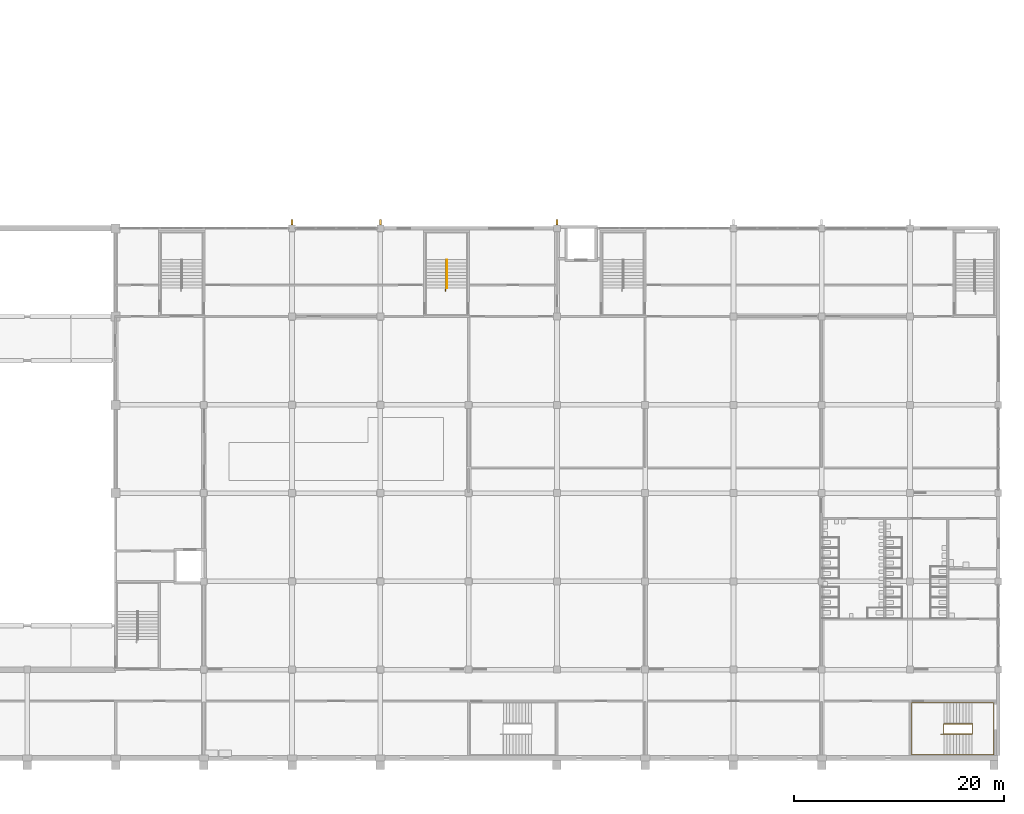
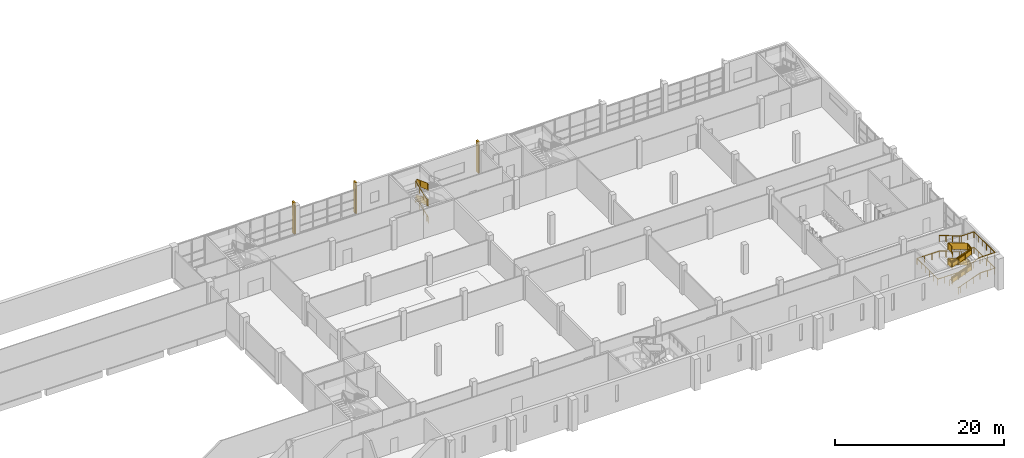
# One storey, part 57 of 64: 6 railings, 3 shading devices.
"""IFC4 building model written with IfcOpenShell, lengths in metres."""

from ifc_helpers import new_model, si_unit, direction, frame, origin, origin_2d, place, context, subcontext, project, spatial, polyline, rectangle, circle, outline, extrude, material, material_profile, profile_set, type_object, element, save


model = new_model("IFC4")

# Units and contexts
model_context = context("Model", 3, precision=1e-05, world=origin(), true_north=direction((0.0, 1.0)))
body_context = subcontext(model_context, "Body", "Model", "MODEL_VIEW")
ifc_project = project(units=[si_unit("LENGTHUNIT", "METRE"), si_unit("AREAUNIT", "SQUARE_METRE"), si_unit("VOLUMEUNIT", "CUBIC_METRE"), si_unit("PLANEANGLEUNIT", "RADIAN"), si_unit("MASSUNIT", "GRAM", prefix="KILO")], contexts=[model_context])

# Site, building, storey
site_placement = place(None, origin())
site = spatial("IfcSite", under=ifc_project, at=site_placement, CompositionType="ELEMENT")
building_placement = place(site_placement, origin())
building = spatial("IfcBuilding", under=site, at=building_placement, Name="Rulbaag Community and Learning Centre", CompositionType="ELEMENT")
storey_placement = place(building_placement, frame((0.0, 0.0, 5.39990234375)))
storey = spatial("IfcBuildingStorey", under=building, at=storey_placement, Name="L01", CompositionType="ELEMENT", Elevation=5.39990234375)

# Shading devices
ifc_material_1 = material(Name="Concrete M40", Category="concrete")
ifc_material_profile = material_profile(ifc_material_1, rectangle(XDim=0.199951171875, YDim=0.5, at=origin_2d()), Name="PC 200x500")
ifc_profile_set = profile_set([ifc_material_profile], Name="Concrete M40")
shading_device_type = type_object("IfcShadingDeviceType", Name="FIN-D", PredefinedType="JALOUSIE", material=ifc_profile_set)
for number, where, z_axis, x_axis, name in (
    (1, (100.800048828125, 50.97509765625, -0.2998046875), (0.0, 0.0, 1.0), (1.0, 0.0, 0.0), "Precast fin"),
    (2, (109.199951171875, 50.97509765625, -0.2998046875), (0.0, 0.0, 1.0), (1.0, 0.0, 0.0), "Precast fin"),
    (3, (126.0, 50.97509765625, -0.2998046875), (0.0, 0.0, 1.0), (1.0, 0.0, 0.0), "Precast fin"),
):
    element("IfcShadingDevice", number, at=place(storey_placement, frame(where, z_axis=z_axis, x_axis=x_axis)), inside=storey, type_object=shading_device_type, Name=name, PredefinedType="JALOUSIE", context=body_context, shape_type="SweptSolid", body=[
        extrude(rectangle(XDim=0.199951171875, YDim=0.5, at=origin_2d()), origin(), (0.0, 0.0, 1.0), 4.5498046875),
    ])

# Railings
ifc_material_2 = material(Name="Galvanised mild steel", Category="steel")
railing_type_1 = type_object("IfcRailingType", Name="GR-1100 GUARD 1100", PredefinedType="GUARDRAIL", material=ifc_material_2)
for number, where, name in (
    (4, (115.52001953125, 47.41259765625, 1.237548828125), "Guard SH7 L01 G2"),
    (5, (115.52001953125, 47.41259765625, 3.487548828125), "Guard SH7 L01 G4"),
):
    element("IfcRailing", number, at=place(storey_placement, frame(where)), inside=storey, type_object=railing_type_1, Name=name, PredefinedType="GUARDRAIL", context=body_context, shape_type="SweptSolid", body=[
        extrude(circle(Radius=0.02490234375, at=origin_2d()), frame((0.0, 0.0, 1.0751953125), z_axis=(0.0, -0.936343093598, 0.351086329941), x_axis=(1.0, 0.0, 0.0)), (0.0, 0.0, 1.0), 2.8837890625),
        extrude(circle(Radius=0.02001953125, at=origin_2d()), origin(), (0.0, 0.0, 1.0), 1.050048828125),
        extrude(circle(Radius=0.02001953125, at=origin_2d()), frame((0.0, -0.900146484375, 0.33740234375)), (0.0, 0.0, 1.0), 1.050048828125),
        extrude(circle(Radius=0.02001953125, at=origin_2d()), frame((0.0, -1.800048828125, 0.675048828125)), (0.0, 0.0, 1.0), 1.050048828125),
        extrude(circle(Radius=0.02001953125, at=origin_2d()), frame((0.0, -2.7001953125, 1.012451171875)), (0.0, 0.0, 1.0), 1.050048828125),
        extrude(outline(polyline([(0.0, 0.0), (2.7001953125, 1.012451171875), (2.7001953125, 1.96240234375), (0.0, 0.949951171875), (0.0, 0.0)])), frame((0.0048828125, 0.0, 0.10009765625), z_axis=(-1.0, 0.0, 0.0), x_axis=(0.0, -1.0, 0.0)), (0.0, 0.0, 1.0), 0.010009765625),
    ])
railing_1_placement = place(storey_placement, frame((162.824951171875, 2.304931640625, 0.112548828125)))
element("IfcRailing", 6, at=railing_1_placement, inside=storey, type_object=railing_type_1, Name="Guard SH10 L01 G", PredefinedType="GUARDRAIL", context=body_context, shape_type="SweptSolid", body=[
    extrude(circle(Radius=0.02490234375, at=origin_2d()), frame((0.0, 0.0, 1.0751953125), z_axis=(0.93633265699, 0.0, 0.351114162993), x_axis=(0.0, 1.0, 0.0)), (0.0, 0.0, 1.0), 2.883544921875),
    extrude(circle(Radius=0.02490234375, at=origin_2d()), frame((2.699951171875, 0.0, 2.08740234375), z_axis=(0.0, 0.992520392836, 0.122078949065), x_axis=(-1.0, 0.0, 0.0)), (0.0, 0.0, 1.0), 0.921875),
    extrude(circle(Radius=0.02490234375, at=origin_2d()), frame((2.699951171875, 0.9150390625, 2.2001953125), z_axis=(-0.93633265699, 0.0, 0.351114162993), x_axis=(0.0, -1.0, 0.0)), (0.0, 0.0, 1.0), 2.883544921875),
    extrude(circle(Radius=0.02490234375, at=origin_2d()), frame((0.0, 0.9150390625, 3.21240234375), z_axis=(0.0, -0.992520392836, 0.122078949065), x_axis=(1.0, 0.0, 0.0)), (0.0, 0.0, 1.0), 0.921875),
    extrude(circle(Radius=0.02490234375, at=origin_2d()), frame((0.0, 0.0, 3.3251953125), z_axis=(0.93633265699, 0.0, 0.351114162993), x_axis=(0.0, 1.0, 0.0)), (0.0, 0.0, 1.0), 2.883544921875),
    extrude(circle(Radius=0.02490234375, at=origin_2d()), frame((2.699951171875, 0.0, 4.33740234375), z_axis=(0.0, 0.992520392836, 0.122078949065), x_axis=(-1.0, 0.0, 0.0)), (0.0, 0.0, 1.0), 0.921875),
    extrude(circle(Radius=0.02490234375, at=origin_2d()), frame((2.699951171875, 0.9150390625, 4.4501953125), z_axis=(-0.93633265699, 0.0, 0.351114162993), x_axis=(0.0, -1.0, 0.0)), (0.0, 0.0, 1.0), 2.883544921875),
    extrude(circle(Radius=0.02490234375, at=origin_2d()), frame((0.0, 0.9150390625, 5.46240234375), z_axis=(0.0, -1.0, 0.0), x_axis=(1.0, 0.0, 0.0)), (0.0, 0.0, 1.0), 0.9150390625),
    extrude(circle(Radius=0.02001953125, at=origin_2d()), origin(), (0.0, 0.0, 1.0), 1.050048828125),
    extrude(circle(Radius=0.02001953125, at=origin_2d()), frame((0.89990234375, 0.0, 0.33740234375)), (0.0, 0.0, 1.0), 1.050048828125),
    extrude(circle(Radius=0.02001953125, at=origin_2d()), frame((1.800048828125, 0.0, 0.675048828125)), (0.0, 0.0, 1.0), 1.050048828125),
    extrude(circle(Radius=0.02001953125, at=origin_2d()), frame((2.699951171875, 0.0, 1.012451171875)), (0.0, 0.0, 1.0), 1.050048828125),
    extrude(circle(Radius=0.02001953125, at=origin_2d()), frame((2.699951171875, 0.9150390625, 1.125)), (0.0, 0.0, 1.0), 1.050048828125),
    extrude(circle(Radius=0.02001953125, at=origin_2d()), frame((1.800048828125, 0.9150390625, 1.46240234375)), (0.0, 0.0, 1.0), 1.050048828125),
    extrude(circle(Radius=0.02001953125, at=origin_2d()), frame((0.89990234375, 0.9150390625, 1.800048828125)), (0.0, 0.0, 1.0), 1.050048828125),
    extrude(circle(Radius=0.02001953125, at=origin_2d()), frame((0.0, 0.9150390625, 2.137451171875)), (0.0, 0.0, 1.0), 1.050048828125),
    extrude(circle(Radius=0.02001953125, at=origin_2d()), frame((0.0, 0.0, 2.25)), (0.0, 0.0, 1.0), 1.050048828125),
    extrude(circle(Radius=0.02001953125, at=origin_2d()), frame((0.89990234375, 0.0, 2.58740234375)), (0.0, 0.0, 1.0), 1.050048828125),
    extrude(circle(Radius=0.02001953125, at=origin_2d()), frame((1.800048828125, 0.0, 2.925048828125)), (0.0, 0.0, 1.0), 1.050048828125),
    extrude(circle(Radius=0.02001953125, at=origin_2d()), frame((2.699951171875, 0.0, 3.262451171875)), (0.0, 0.0, 1.0), 1.050048828125),
    extrude(circle(Radius=0.02001953125, at=origin_2d()), frame((2.699951171875, 0.9150390625, 3.375)), (0.0, 0.0, 1.0), 1.050048828125),
    extrude(circle(Radius=0.02001953125, at=origin_2d()), frame((1.800048828125, 0.9150390625, 3.71240234375)), (0.0, 0.0, 1.0), 1.050048828125),
    extrude(circle(Radius=0.02001953125, at=origin_2d()), frame((0.89990234375, 0.9150390625, 4.050048828125)), (0.0, 0.0, 1.0), 1.050048828125),
    extrude(circle(Radius=0.02001953125, at=origin_2d()), frame((0.0, 0.9150390625, 4.387451171875)), (0.0, 0.0, 1.0), 1.050048828125),
    extrude(circle(Radius=0.02001953125, at=origin_2d()), frame((0.0, 0.0, 4.387451171875)), (0.0, 0.0, 1.0), 1.050048828125),
    extrude(outline(polyline([(0.0, 0.0), (2.699951171875, 1.012451171875), (2.699951171875, 1.96240234375), (0.0, 0.949951171875), (0.0, 0.0)])), frame((0.0, 0.0048828125, 0.10009765625), z_axis=(0.0, -1.0, 0.0), x_axis=(1.0, 0.0, 0.0)), (0.0, 0.0, 1.0), 0.010009765625),
    extrude(outline(polyline([(0.0, 0.0), (0.9150390625, 0.112548828125), (0.9150390625, 1.0625), (0.0, 0.949951171875), (0.0, 0.0)])), frame((2.69482421875, 0.0, 1.112548828125), z_axis=(1.0, 0.0, 0.0), x_axis=(0.0, 1.0, 0.0)), (0.0, 0.0, 1.0), 0.010009765625),
    extrude(outline(polyline([(0.0, 0.0), (2.699951171875, 1.012451171875), (2.699951171875, 1.96240234375), (0.0, 0.949951171875), (0.0, 0.0)])), frame((2.699951171875, 0.91015625, 1.22509765625), z_axis=(0.0, 1.0, 0.0), x_axis=(-1.0, 0.0, 0.0)), (0.0, 0.0, 1.0), 0.010009765625),
    extrude(outline(polyline([(0.0, 0.0), (0.9150390625, 0.112548828125), (0.9150390625, 1.0625), (0.0, 0.949951171875), (0.0, 0.0)])), frame((0.0048828125, 0.9150390625, 2.237548828125), z_axis=(-1.0, 0.0, 0.0), x_axis=(0.0, -1.0, 0.0)), (0.0, 0.0, 1.0), 0.010009765625),
    extrude(outline(polyline([(0.0, 0.0), (2.699951171875, 1.012451171875), (2.699951171875, 1.96240234375), (0.0, 0.949951171875), (0.0, 0.0)])), frame((0.0, 0.0048828125, 2.35009765625), z_axis=(0.0, -1.0, 0.0), x_axis=(1.0, 0.0, 0.0)), (0.0, 0.0, 1.0), 0.010009765625),
    extrude(outline(polyline([(0.0, 0.0), (0.9150390625, 0.112548828125), (0.9150390625, 1.0625), (0.0, 0.949951171875), (0.0, 0.0)])), frame((2.69482421875, 0.0, 3.362548828125), z_axis=(1.0, 0.0, 0.0), x_axis=(0.0, 1.0, 0.0)), (0.0, 0.0, 1.0), 0.010009765625),
    extrude(outline(polyline([(0.0, 0.0), (2.699951171875, 1.012451171875), (2.699951171875, 1.96240234375), (0.0, 0.949951171875), (0.0, 0.0)])), frame((2.699951171875, 0.91015625, 3.47509765625), z_axis=(0.0, 1.0, 0.0), x_axis=(-1.0, 0.0, 0.0)), (0.0, 0.0, 1.0), 0.010009765625),
    extrude(outline(polyline([(0.0, 0.0), (0.9150390625, 0.0), (0.9150390625, 0.949951171875), (0.0, 0.949951171875), (0.0, 0.0)])), frame((0.0048828125, 0.9150390625, 4.487548828125), z_axis=(-1.0, 0.0, 0.0), x_axis=(0.0, -1.0, 0.0)), (0.0, 0.0, 1.0), 0.010009765625),
])
ifc_material_3 = material(Name="Stainless steel grade 316", Category="steel")
railing_type_2 = type_object("IfcRailingType", Name="HR-900 HANDRAIL 900", PredefinedType="HANDRAIL", material=ifc_material_3)
railing_2_placement = place(storey_placement, frame((115.409912109375, 44.41259765625, 0.0)))
element("IfcRailing", 7, at=railing_2_placement, inside=storey, type_object=railing_type_2, Name="Handrail SH7 L01 I", PredefinedType="HANDRAIL", context=body_context, shape_type="SweptSolid", body=[
    extrude(circle(Radius=0.024169921875, at=origin_2d()), frame((0.0, 0.0, 0.875732421875), z_axis=(0.0, 0.936203795034, 0.351457613608), x_axis=(-1.0, 0.0, 0.0)), (0.0, 0.0, 1.0), 0.3203125),
    extrude(circle(Radius=0.024169921875, at=origin_2d()), frame((0.0, 0.2998046875, 0.98828125), z_axis=(0.0, 0.936343093598, 0.351086329941), x_axis=(-1.0, 0.0, 0.0)), (0.0, 0.0, 1.0), 2.8837890625),
    extrude(circle(Radius=0.024169921875, at=origin_2d()), frame((0.0, 3.0, 2.000732421875), z_axis=(0.848127405144, 0.0, 0.529792322183), x_axis=(0.0, 1.0, 0.0)), (0.0, 0.0, 1.0), 0.21240234375),
    extrude(circle(Radius=0.024169921875, at=origin_2d()), frame((0.18017578125, 3.0, 2.11328125), z_axis=(0.0, -0.936343093598, 0.351086329941), x_axis=(1.0, 0.0, 0.0)), (0.0, 0.0, 1.0), 2.8837890625),
    extrude(circle(Radius=0.024169921875, at=origin_2d()), frame((0.18017578125, 0.2998046875, 3.125732421875), z_axis=(-0.848127405144, 0.0, 0.529792322183), x_axis=(0.0, -1.0, 0.0)), (0.0, 0.0, 1.0), 0.21240234375),
    extrude(circle(Radius=0.024169921875, at=origin_2d()), frame((0.0, 0.2998046875, 3.23828125), z_axis=(0.0, 0.936343093598, 0.351086329941), x_axis=(-1.0, 0.0, 0.0)), (0.0, 0.0, 1.0), 2.8837890625),
    extrude(circle(Radius=0.024169921875, at=origin_2d()), frame((0.0, 3.0, 4.250732421875), z_axis=(0.848127405144, 0.0, 0.529792322183), x_axis=(0.0, 1.0, 0.0)), (0.0, 0.0, 1.0), 0.21240234375),
    extrude(circle(Radius=0.024169921875, at=origin_2d()), frame((0.18017578125, 3.0, 4.36328125), z_axis=(0.0, -0.936343093598, 0.351086329941), x_axis=(1.0, 0.0, 0.0)), (0.0, 0.0, 1.0), 2.8837890625),
    extrude(circle(Radius=0.008056640625, at=origin_2d()), origin(), (0.0, 0.0, 1.0), 0.8515625),
    extrude(circle(Radius=0.008056640625, at=origin_2d()), frame((0.0, 0.2998046875, 0.112548828125)), (0.0, 0.0, 1.0), 0.8515625),
    extrude(circle(Radius=0.008056640625, at=origin_2d()), frame((0.0, 1.199951171875, 0.449951171875)), (0.0, 0.0, 1.0), 0.8515625),
    extrude(circle(Radius=0.008056640625, at=origin_2d()), frame((0.0, 2.099853515625, 0.78759765625)), (0.0, 0.0, 1.0), 0.8515625),
    extrude(circle(Radius=0.008056640625, at=origin_2d()), frame((0.0, 3.0, 1.125)), (0.0, 0.0, 1.0), 0.8515625),
    extrude(circle(Radius=0.008056640625, at=origin_2d()), frame((0.18017578125, 3.0, 1.237548828125)), (0.0, 0.0, 1.0), 0.8515625),
    extrude(circle(Radius=0.008056640625, at=origin_2d()), frame((0.18017578125, 2.099853515625, 1.574951171875)), (0.0, 0.0, 1.0), 0.8515625),
    extrude(circle(Radius=0.008056640625, at=origin_2d()), frame((0.18017578125, 1.199951171875, 1.91259765625)), (0.0, 0.0, 1.0), 0.8515625),
    extrude(circle(Radius=0.008056640625, at=origin_2d()), frame((0.18017578125, 0.2998046875, 2.25)), (0.0, 0.0, 1.0), 0.8515625),
    extrude(circle(Radius=0.008056640625, at=origin_2d()), frame((0.0, 0.2998046875, 2.362548828125)), (0.0, 0.0, 1.0), 0.8515625),
    extrude(circle(Radius=0.008056640625, at=origin_2d()), frame((0.0, 1.199951171875, 2.699951171875)), (0.0, 0.0, 1.0), 0.8515625),
    extrude(circle(Radius=0.008056640625, at=origin_2d()), frame((0.0, 2.099853515625, 3.03759765625)), (0.0, 0.0, 1.0), 0.8515625),
    extrude(circle(Radius=0.008056640625, at=origin_2d()), frame((0.0, 3.0, 3.375)), (0.0, 0.0, 1.0), 0.8515625),
    extrude(circle(Radius=0.008056640625, at=origin_2d()), frame((0.18017578125, 3.0, 3.487548828125)), (0.0, 0.0, 1.0), 0.8515625),
    extrude(circle(Radius=0.008056640625, at=origin_2d()), frame((0.18017578125, 2.099853515625, 3.824951171875)), (0.0, 0.0, 1.0), 0.8515625),
    extrude(circle(Radius=0.008056640625, at=origin_2d()), frame((0.18017578125, 1.199951171875, 4.16259765625)), (0.0, 0.0, 1.0), 0.8515625),
    extrude(circle(Radius=0.008056640625, at=origin_2d()), frame((0.18017578125, 0.2998046875, 4.5)), (0.0, 0.0, 1.0), 0.8515625),
])
railing_3_placement = place(storey_placement, frame((162.52490234375, 0.284912109375, 0.0)))
element("IfcRailing", 8, at=railing_3_placement, inside=storey, type_object=railing_type_2, Name="Handrail SH10 L01 O", PredefinedType="HANDRAIL", context=body_context, shape_type="SweptSolid", body=[
    extrude(circle(Radius=0.024169921875, at=origin_2d()), frame((0.0, 0.0, 0.875732421875), z_axis=(0.936297865471, 0.0, 0.351206929196), x_axis=(0.0, 1.0, 0.0)), (0.0, 0.0, 1.0), 0.320556640625),
    extrude(circle(Radius=0.024169921875, at=origin_2d()), frame((0.300048828125, 0.0, 0.98828125), z_axis=(0.93633265699, 0.0, 0.351114162993), x_axis=(0.0, 1.0, 0.0)), (0.0, 0.0, 1.0), 2.883544921875),
    extrude(circle(Radius=0.024169921875, at=origin_2d()), frame((3.0, 0.0, 2.000732421875), z_axis=(1.0, 0.0, 0.0), x_axis=(0.0, 1.0, 0.0)), (0.0, 0.0, 1.0), 2.0400390625),
    extrude(circle(Radius=0.024169921875, at=origin_2d()), frame((5.0400390625, 0.0, 2.000732421875), z_axis=(0.0, 1.0, 0.0), x_axis=(-1.0, 0.0, 0.0)), (0.0, 0.0, 1.0), 4.955078125),
    extrude(circle(Radius=0.024169921875, at=origin_2d()), frame((5.0400390625, 4.955078125, 2.000732421875), z_axis=(-1.0, 0.0, 0.0), x_axis=(0.0, -1.0, 0.0)), (0.0, 0.0, 1.0), 1.739990234375),
    extrude(circle(Radius=0.024169921875, at=origin_2d()), frame((3.300048828125, 4.955078125, 2.000732421875), z_axis=(-0.936297865471, 0.0, 0.351206929196), x_axis=(0.0, -1.0, 0.0)), (0.0, 0.0, 1.0), 0.320556640625),
    extrude(circle(Radius=0.024169921875, at=origin_2d()), frame((3.0, 4.955078125, 2.11328125), z_axis=(-0.93633265699, 0.0, 0.351114162993), x_axis=(0.0, -1.0, 0.0)), (0.0, 0.0, 1.0), 2.883544921875),
    extrude(circle(Radius=0.024169921875, at=origin_2d()), frame((0.300048828125, 4.955078125, 3.125732421875), z_axis=(-1.0, 0.0, 0.0), x_axis=(0.0, -1.0, 0.0)), (0.0, 0.0, 1.0), 3.06494140625),
    extrude(circle(Radius=0.024169921875, at=origin_2d()), frame((-2.764892578125, 4.955078125, 3.125732421875), z_axis=(0.0, -1.0, 0.0), x_axis=(1.0, 0.0, 0.0)), (0.0, 0.0, 1.0), 4.955078125),
    extrude(circle(Radius=0.024169921875, at=origin_2d()), frame((-2.764892578125, 0.0, 3.125732421875), z_axis=(1.0, 0.0, 0.0), x_axis=(0.0, 1.0, 0.0)), (0.0, 0.0, 1.0), 2.764892578125),
    extrude(circle(Radius=0.024169921875, at=origin_2d()), frame((0.0, 0.0, 3.125732421875), z_axis=(0.936297865471, 0.0, 0.351206929196), x_axis=(0.0, 1.0, 0.0)), (0.0, 0.0, 1.0), 0.320556640625),
    extrude(circle(Radius=0.024169921875, at=origin_2d()), frame((0.300048828125, 0.0, 3.23828125), z_axis=(0.93633265699, 0.0, 0.351114162993), x_axis=(0.0, 1.0, 0.0)), (0.0, 0.0, 1.0), 2.883544921875),
    extrude(circle(Radius=0.024169921875, at=origin_2d()), frame((3.0, 0.0, 4.250732421875), z_axis=(1.0, 0.0, 0.0), x_axis=(0.0, 1.0, 0.0)), (0.0, 0.0, 1.0), 2.0400390625),
    extrude(circle(Radius=0.024169921875, at=origin_2d()), frame((5.0400390625, 0.0, 4.250732421875), z_axis=(0.0, 1.0, 0.0), x_axis=(-1.0, 0.0, 0.0)), (0.0, 0.0, 1.0), 4.955078125),
    extrude(circle(Radius=0.024169921875, at=origin_2d()), frame((5.0400390625, 4.955078125, 4.250732421875), z_axis=(-1.0, 0.0, 0.0), x_axis=(0.0, -1.0, 0.0)), (0.0, 0.0, 1.0), 1.739990234375),
    extrude(circle(Radius=0.024169921875, at=origin_2d()), frame((3.300048828125, 4.955078125, 4.250732421875), z_axis=(-0.936297865471, 0.0, 0.351206929196), x_axis=(0.0, -1.0, 0.0)), (0.0, 0.0, 1.0), 0.320556640625),
    extrude(circle(Radius=0.024169921875, at=origin_2d()), frame((3.0, 4.955078125, 4.36328125), z_axis=(-0.93633265699, 0.0, 0.351114162993), x_axis=(0.0, -1.0, 0.0)), (0.0, 0.0, 1.0), 2.883544921875),
    extrude(circle(Radius=0.008056640625, at=origin_2d()), origin(), (0.0, 0.0, 1.0), 0.8515625),
    extrude(circle(Radius=0.008056640625, at=origin_2d()), frame((0.300048828125, 0.0, 0.112548828125)), (0.0, 0.0, 1.0), 0.8515625),
    extrude(circle(Radius=0.008056640625, at=origin_2d()), frame((1.199951171875, 0.0, 0.449951171875)), (0.0, 0.0, 1.0), 0.8515625),
    extrude(circle(Radius=0.008056640625, at=origin_2d()), frame((2.10009765625, 0.0, 0.78759765625)), (0.0, 0.0, 1.0), 0.8515625),
    extrude(circle(Radius=0.008056640625, at=origin_2d()), frame((3.0, 0.0, 1.125)), (0.0, 0.0, 1.0), 0.8515625),
    extrude(circle(Radius=0.008056640625, at=origin_2d()), frame((4.02001953125, 0.0, 1.125)), (0.0, 0.0, 1.0), 0.8515625),
    extrude(circle(Radius=0.008056640625, at=origin_2d()), frame((5.0400390625, 0.0, 1.125)), (0.0, 0.0, 1.0), 0.8515625),
    extrude(circle(Radius=0.008056640625, at=origin_2d()), frame((5.0400390625, 0.990966796875, 1.125)), (0.0, 0.0, 1.0), 0.8515625),
    extrude(circle(Radius=0.008056640625, at=origin_2d()), frame((5.0400390625, 1.98193359375, 1.125)), (0.0, 0.0, 1.0), 0.8515625),
    extrude(circle(Radius=0.008056640625, at=origin_2d()), frame((5.0400390625, 2.97314453125, 1.125)), (0.0, 0.0, 1.0), 0.8515625),
    extrude(circle(Radius=0.008056640625, at=origin_2d()), frame((5.0400390625, 3.964111328125, 1.125)), (0.0, 0.0, 1.0), 0.8515625),
    extrude(circle(Radius=0.008056640625, at=origin_2d()), frame((5.0400390625, 4.955078125, 1.125)), (0.0, 0.0, 1.0), 0.8515625),
    extrude(circle(Radius=0.008056640625, at=origin_2d()), frame((4.169921875, 4.955078125, 1.125)), (0.0, 0.0, 1.0), 0.8515625),
    extrude(circle(Radius=0.008056640625, at=origin_2d()), frame((3.300048828125, 4.955078125, 1.125)), (0.0, 0.0, 1.0), 0.8515625),
    extrude(circle(Radius=0.008056640625, at=origin_2d()), frame((3.0, 4.955078125, 1.237548828125)), (0.0, 0.0, 1.0), 0.8515625),
    extrude(circle(Radius=0.008056640625, at=origin_2d()), frame((2.10009765625, 4.955078125, 1.574951171875)), (0.0, 0.0, 1.0), 0.8515625),
    extrude(circle(Radius=0.008056640625, at=origin_2d()), frame((1.199951171875, 4.955078125, 1.91259765625)), (0.0, 0.0, 1.0), 0.8515625),
    extrude(circle(Radius=0.008056640625, at=origin_2d()), frame((0.300048828125, 4.955078125, 2.25)), (0.0, 0.0, 1.0), 0.8515625),
    extrude(circle(Radius=0.008056640625, at=origin_2d()), frame((-0.7216796875, 4.955078125, 2.25)), (0.0, 0.0, 1.0), 0.8515625),
    extrude(circle(Radius=0.008056640625, at=origin_2d()), frame((-1.7431640625, 4.955078125, 2.25)), (0.0, 0.0, 1.0), 0.8515625),
    extrude(circle(Radius=0.008056640625, at=origin_2d()), frame((-2.764892578125, 4.955078125, 2.25)), (0.0, 0.0, 1.0), 0.8515625),
    extrude(circle(Radius=0.008056640625, at=origin_2d()), frame((-2.764892578125, 3.964111328125, 2.25)), (0.0, 0.0, 1.0), 0.8515625),
    extrude(circle(Radius=0.008056640625, at=origin_2d()), frame((-2.764892578125, 2.97314453125, 2.25)), (0.0, 0.0, 1.0), 0.8515625),
    extrude(circle(Radius=0.008056640625, at=origin_2d()), frame((-2.764892578125, 1.98193359375, 2.25)), (0.0, 0.0, 1.0), 0.8515625),
    extrude(circle(Radius=0.008056640625, at=origin_2d()), frame((-2.764892578125, 0.990966796875, 2.25)), (0.0, 0.0, 1.0), 0.8515625),
    extrude(circle(Radius=0.008056640625, at=origin_2d()), frame((-2.764892578125, 0.0, 2.25)), (0.0, 0.0, 1.0), 0.8515625),
    extrude(circle(Radius=0.008056640625, at=origin_2d()), frame((-1.84326171875, 0.0, 2.25)), (0.0, 0.0, 1.0), 0.8515625),
    extrude(circle(Radius=0.008056640625, at=origin_2d()), frame((-0.921630859375, 0.0, 2.25)), (0.0, 0.0, 1.0), 0.8515625),
    extrude(circle(Radius=0.008056640625, at=origin_2d()), frame((0.0, 0.0, 2.25)), (0.0, 0.0, 1.0), 0.8515625),
    extrude(circle(Radius=0.008056640625, at=origin_2d()), frame((0.300048828125, 0.0, 2.362548828125)), (0.0, 0.0, 1.0), 0.8515625),
    extrude(circle(Radius=0.008056640625, at=origin_2d()), frame((1.199951171875, 0.0, 2.699951171875)), (0.0, 0.0, 1.0), 0.8515625),
    extrude(circle(Radius=0.008056640625, at=origin_2d()), frame((2.10009765625, 0.0, 3.03759765625)), (0.0, 0.0, 1.0), 0.8515625),
    extrude(circle(Radius=0.008056640625, at=origin_2d()), frame((3.0, 0.0, 3.375)), (0.0, 0.0, 1.0), 0.8515625),
    extrude(circle(Radius=0.008056640625, at=origin_2d()), frame((4.02001953125, 0.0, 3.375)), (0.0, 0.0, 1.0), 0.8515625),
    extrude(circle(Radius=0.008056640625, at=origin_2d()), frame((5.0400390625, 0.0, 3.375)), (0.0, 0.0, 1.0), 0.8515625),
    extrude(circle(Radius=0.008056640625, at=origin_2d()), frame((5.0400390625, 0.990966796875, 3.375)), (0.0, 0.0, 1.0), 0.8515625),
    extrude(circle(Radius=0.008056640625, at=origin_2d()), frame((5.0400390625, 1.98193359375, 3.375)), (0.0, 0.0, 1.0), 0.8515625),
    extrude(circle(Radius=0.008056640625, at=origin_2d()), frame((5.0400390625, 2.97314453125, 3.375)), (0.0, 0.0, 1.0), 0.8515625),
    extrude(circle(Radius=0.008056640625, at=origin_2d()), frame((5.0400390625, 3.964111328125, 3.375)), (0.0, 0.0, 1.0), 0.8515625),
    extrude(circle(Radius=0.008056640625, at=origin_2d()), frame((5.0400390625, 4.955078125, 3.375)), (0.0, 0.0, 1.0), 0.8515625),
    extrude(circle(Radius=0.008056640625, at=origin_2d()), frame((4.169921875, 4.955078125, 3.375)), (0.0, 0.0, 1.0), 0.8515625),
    extrude(circle(Radius=0.008056640625, at=origin_2d()), frame((3.300048828125, 4.955078125, 3.375)), (0.0, 0.0, 1.0), 0.8515625),
    extrude(circle(Radius=0.008056640625, at=origin_2d()), frame((3.0, 4.955078125, 3.487548828125)), (0.0, 0.0, 1.0), 0.8515625),
    extrude(circle(Radius=0.008056640625, at=origin_2d()), frame((2.10009765625, 4.955078125, 3.824951171875)), (0.0, 0.0, 1.0), 0.8515625),
    extrude(circle(Radius=0.008056640625, at=origin_2d()), frame((1.199951171875, 4.955078125, 4.16259765625)), (0.0, 0.0, 1.0), 0.8515625),
    extrude(circle(Radius=0.008056640625, at=origin_2d()), frame((0.300048828125, 4.955078125, 4.5)), (0.0, 0.0, 1.0), 0.8515625),
])
railing_4_placement = place(storey_placement, frame((162.52490234375, 2.235107421875, 0.0)))
element("IfcRailing", 9, at=railing_4_placement, inside=storey, type_object=railing_type_2, Name="Handrail SH10 L01 I", PredefinedType="HANDRAIL", context=body_context, shape_type="SweptSolid", body=[
    extrude(circle(Radius=0.024169921875, at=origin_2d()), frame((0.0, 0.0, 0.875732421875), z_axis=(0.936297865471, 0.0, 0.351206929196), x_axis=(0.0, 1.0, 0.0)), (0.0, 0.0, 1.0), 0.320556640625),
    extrude(circle(Radius=0.024169921875, at=origin_2d()), frame((0.300048828125, 0.0, 0.98828125), z_axis=(0.93633265699, 0.0, 0.351114162993), x_axis=(0.0, 1.0, 0.0)), (0.0, 0.0, 1.0), 2.883544921875),
    extrude(circle(Radius=0.024169921875, at=origin_2d()), frame((3.0, 0.0, 2.000732421875), z_axis=(0.0, 0.994356935106, 0.106086217793), x_axis=(-1.0, 0.0, 0.0)), (0.0, 0.0, 1.0), 1.06103515625),
    extrude(circle(Radius=0.024169921875, at=origin_2d()), frame((3.0, 1.054931640625, 2.11328125), z_axis=(-0.93633265699, 0.0, 0.351114162993), x_axis=(0.0, -1.0, 0.0)), (0.0, 0.0, 1.0), 2.883544921875),
    extrude(circle(Radius=0.024169921875, at=origin_2d()), frame((0.300048828125, 1.054931640625, 3.125732421875), z_axis=(0.0, -0.994356935106, 0.106086217793), x_axis=(1.0, 0.0, 0.0)), (0.0, 0.0, 1.0), 1.06103515625),
    extrude(circle(Radius=0.024169921875, at=origin_2d()), frame((0.300048828125, 0.0, 3.23828125), z_axis=(0.93633265699, 0.0, 0.351114162993), x_axis=(0.0, 1.0, 0.0)), (0.0, 0.0, 1.0), 2.883544921875),
    extrude(circle(Radius=0.024169921875, at=origin_2d()), frame((3.0, 0.0, 4.250732421875), z_axis=(0.0, 0.994356935106, 0.106086217793), x_axis=(-1.0, 0.0, 0.0)), (0.0, 0.0, 1.0), 1.06103515625),
    extrude(circle(Radius=0.024169921875, at=origin_2d()), frame((3.0, 1.054931640625, 4.36328125), z_axis=(-0.93633265699, 0.0, 0.351114162993), x_axis=(0.0, -1.0, 0.0)), (0.0, 0.0, 1.0), 2.883544921875),
    extrude(circle(Radius=0.008056640625, at=origin_2d()), origin(), (0.0, 0.0, 1.0), 0.8515625),
    extrude(circle(Radius=0.008056640625, at=origin_2d()), frame((0.300048828125, 0.0, 0.112548828125)), (0.0, 0.0, 1.0), 0.8515625),
    extrude(circle(Radius=0.008056640625, at=origin_2d()), frame((1.199951171875, 0.0, 0.449951171875)), (0.0, 0.0, 1.0), 0.8515625),
    extrude(circle(Radius=0.008056640625, at=origin_2d()), frame((2.10009765625, 0.0, 0.78759765625)), (0.0, 0.0, 1.0), 0.8515625),
    extrude(circle(Radius=0.008056640625, at=origin_2d()), frame((3.0, 0.0, 1.125)), (0.0, 0.0, 1.0), 0.8515625),
    extrude(circle(Radius=0.008056640625, at=origin_2d()), frame((3.0, 1.054931640625, 1.237548828125)), (0.0, 0.0, 1.0), 0.8515625),
    extrude(circle(Radius=0.008056640625, at=origin_2d()), frame((2.10009765625, 1.054931640625, 1.574951171875)), (0.0, 0.0, 1.0), 0.8515625),
    extrude(circle(Radius=0.008056640625, at=origin_2d()), frame((1.199951171875, 1.054931640625, 1.91259765625)), (0.0, 0.0, 1.0), 0.8515625),
    extrude(circle(Radius=0.008056640625, at=origin_2d()), frame((0.300048828125, 1.054931640625, 2.25)), (0.0, 0.0, 1.0), 0.8515625),
    extrude(circle(Radius=0.008056640625, at=origin_2d()), frame((0.300048828125, 0.0, 2.362548828125)), (0.0, 0.0, 1.0), 0.8515625),
    extrude(circle(Radius=0.008056640625, at=origin_2d()), frame((1.199951171875, 0.0, 2.699951171875)), (0.0, 0.0, 1.0), 0.8515625),
    extrude(circle(Radius=0.008056640625, at=origin_2d()), frame((2.10009765625, 0.0, 3.03759765625)), (0.0, 0.0, 1.0), 0.8515625),
    extrude(circle(Radius=0.008056640625, at=origin_2d()), frame((3.0, 0.0, 3.375)), (0.0, 0.0, 1.0), 0.8515625),
    extrude(circle(Radius=0.008056640625, at=origin_2d()), frame((3.0, 1.054931640625, 3.487548828125)), (0.0, 0.0, 1.0), 0.8515625),
    extrude(circle(Radius=0.008056640625, at=origin_2d()), frame((2.10009765625, 1.054931640625, 3.824951171875)), (0.0, 0.0, 1.0), 0.8515625),
    extrude(circle(Radius=0.008056640625, at=origin_2d()), frame((1.199951171875, 1.054931640625, 4.16259765625)), (0.0, 0.0, 1.0), 0.8515625),
    extrude(circle(Radius=0.008056640625, at=origin_2d()), frame((0.300048828125, 1.054931640625, 4.5)), (0.0, 0.0, 1.0), 0.8515625),
])

save(model, "model.ifc")
